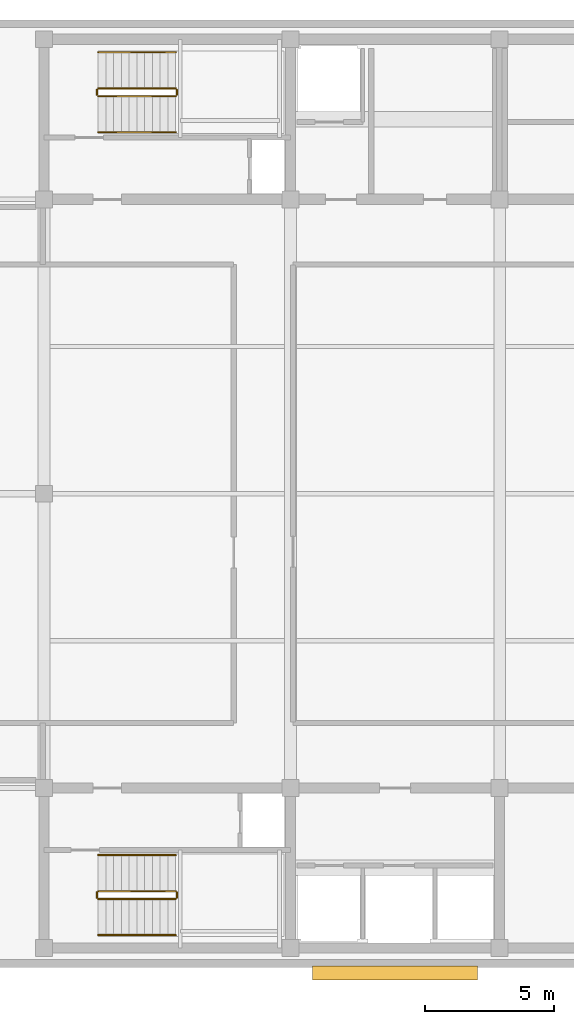
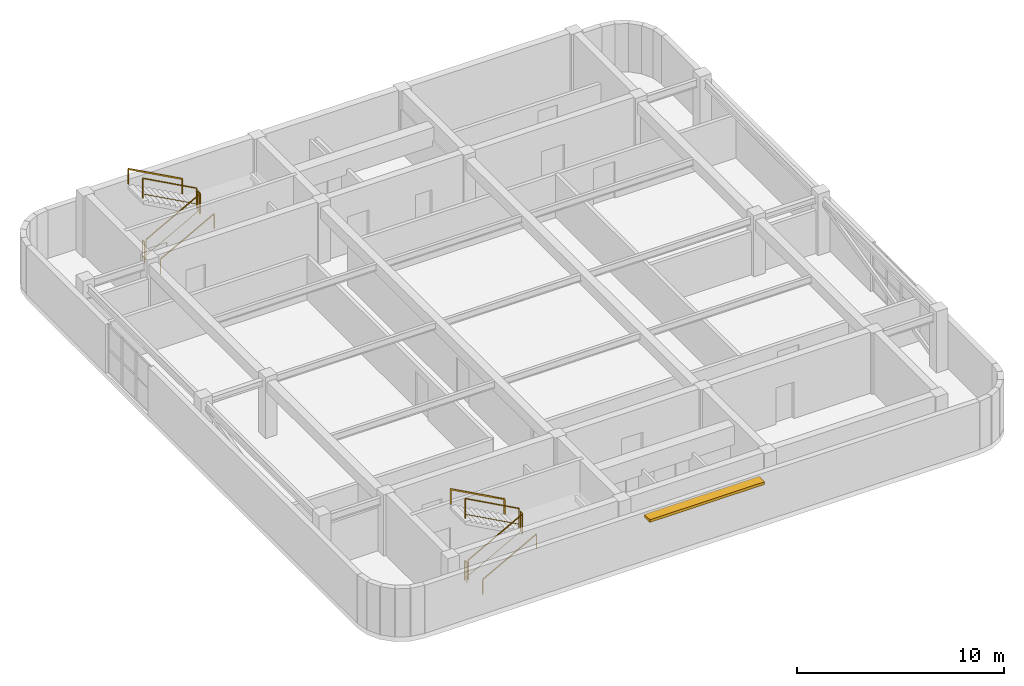
# One storey, part 9 of 9: 12 railings, 1 shading device.
"""IFC4 building model written with IfcOpenShell, lengths in metres."""

import ifcopenshell
import ifcopenshell.guid

model = None  # the IFC model being written
_history = None  # IfcOwnerHistory: only IFC2X3 demands one
_inside = {}  # id of a spatial element -> (the spatial element, [elements in it])
_under = {}  # id of a project, library or spatial element -> (it, [spatial elements below it])
_declared = {}  # id of a project -> (the project, [libraries it declares])
_typed = {}  # id of a type object -> (the type object, [elements of that type])
_made_of = {}  # id of a material, layer set ... -> (it, [elements and type objects made of it])


def new_model(schema):
    """Start an empty IFC model of exactly this schema.

    Asked for "IFC4X3", IfcOpenShell would pick the latest addendum, in which some entities
    have other attributes; the version numbers below select the first issue.
    IFC2X3 requires an IfcOwnerHistory on every rooted entity: one is made here for all.
    """
    global model, _history
    if schema == "IFC4X3":
        model = ifcopenshell.file(schema_version=(4, 3, 0, 0))
    else:
        model = ifcopenshell.file(schema=schema)
    _inside.clear()
    _under.clear()
    _declared.clear()
    _typed.clear()
    _made_of.clear()
    _history = None
    if model.schema == "IFC2X3":
        org = make("IfcOrganization", Name="unknown")
        user = make(
            "IfcPersonAndOrganization",
            ThePerson=make("IfcPerson", FamilyName="unknown"),
            TheOrganization=org,
        )
        app = make(
            "IfcApplication",
            ApplicationDeveloper=org,
            Version="unknown",
            ApplicationFullName="unknown",
            ApplicationIdentifier="unknown",
        )
        _history = make(
            "IfcOwnerHistory",
            OwningUser=user,
            OwningApplication=app,
            ChangeAction="ADDED",
            CreationDate=0,
        )
    return model


def make(cls, **values):
    """One entity of the class cls with the attributes given. An attribute that is None is left unset."""
    return model.create_entity(
        cls, **{name: value for name, value in values.items() if value is not None}
    )


def rooted(cls, **values):
    """An entity with a GlobalId (a new one), such as an element, a storey or a relation."""
    return make(cls, GlobalId=ifcopenshell.guid.new(), OwnerHistory=_history, **values)


def si_unit(unit_type, name, prefix=None):
    """IfcSIUnit, for example si_unit("LENGTHUNIT", "METRE", prefix="MILLI")."""
    return make("IfcSIUnit", UnitType=unit_type, Prefix=prefix, Name=name)


def assignment(units):
    """IfcUnitAssignment: the units of a project."""
    return None if units is None else make("IfcUnitAssignment", Units=units)


def point(xyz):
    """IfcCartesianPoint."""
    return None if xyz is None else make("IfcCartesianPoint", Coordinates=xyz)


def direction(xyz):
    """IfcDirection."""
    return None if xyz is None else make("IfcDirection", DirectionRatios=xyz)


def frame(location, z_axis=None, x_axis=None):
    """IfcAxis2Placement3D, a coordinate frame: its origin and axes. An axis left out is left unset."""
    return make(
        "IfcAxis2Placement3D",
        Location=point(location),
        Axis=direction(z_axis),
        RefDirection=direction(x_axis),
    )


def frame_2d(location, x_axis=None):
    """IfcAxis2Placement2D, a coordinate frame in the plane: its origin and x axis."""
    return make(
        "IfcAxis2Placement2D", Location=point(location), RefDirection=direction(x_axis)
    )


def origin():
    """The frame at (0, 0, 0) with its axes left unset."""
    return frame((0.0, 0.0, 0.0))


def origin_2d():
    """The frame at (0, 0) in the plane with its x axis left unset."""
    return frame_2d((0.0, 0.0))


def place(relative_to, where):
    """IfcLocalPlacement: puts the frame where relative to a parent placement (None: the world)."""
    return make(
        "IfcLocalPlacement", PlacementRelTo=relative_to, RelativePlacement=where
    )


def context(
    kind, dimensions, precision=None, world=None, true_north=None, identifier=None
):
    """IfcGeometricRepresentationContext, for example the 3D "Model" context."""
    return make(
        "IfcGeometricRepresentationContext",
        ContextIdentifier=identifier,
        ContextType=kind,
        CoordinateSpaceDimension=dimensions,
        Precision=precision,
        WorldCoordinateSystem=world,
        TrueNorth=true_north,
    )


def subcontext(parent, identifier, kind, view, scale=None):
    """IfcGeometricRepresentationSubContext, for example "Body" below "Model"."""
    return make(
        "IfcGeometricRepresentationSubContext",
        ContextIdentifier=identifier,
        ContextType=kind,
        ParentContext=parent,
        TargetScale=scale,
        TargetView=view,
    )


def project(units=None, contexts=None):
    """IfcProject with its units and contexts."""
    return rooted(
        "IfcProject",
        Name="project",
        RepresentationContexts=contexts,
        UnitsInContext=assignment(units),
    )


def spatial(cls, under=None, at=None, **own):
    """A site, building, storey or space (cls), placed at a placement, below another one or the project."""
    s = rooted(cls, ObjectPlacement=at, **own)
    if under is not None:
        _under.setdefault(under.id(), (under, []))[1].append(s)
    return s


def profile(cls, at=None, kind="AREA", **sizes):
    """A parametric profile (cls). Its sizes go by their IFC names, for example OverallWidth=200.0."""
    return make(cls, ProfileType=kind, Position=at, **sizes)


def rectangle(**sizes):
    """IfcRectangleProfileDef."""
    return profile("IfcRectangleProfileDef", **sizes)


def extrude(swept, where, along, depth):
    """IfcExtrudedAreaSolid: the profile swept, set in the frame where, extruded along a direction by depth."""
    return make(
        "IfcExtrudedAreaSolid",
        SweptArea=swept,
        Position=where,
        ExtrudedDirection=direction(along),
        Depth=depth,
    )


def shape(context_of_items, identifier, shape_type, items):
    """IfcShapeRepresentation: the items that make up one representation, for example the "Body"."""
    return make(
        "IfcShapeRepresentation",
        ContextOfItems=context_of_items,
        RepresentationIdentifier=identifier,
        RepresentationType=shape_type,
        Items=items,
    )


def material(Name=None, Category=None):
    """IfcMaterial."""
    return make("IfcMaterial", Name=Name, Category=Category)


def layer(
    of_material, thickness, ventilated=None, Name=None, Category=None, Priority=None
):
    """IfcMaterialLayer: one layer of a wall or slab, of a material (None: an air gap)."""
    return make(
        "IfcMaterialLayer",
        Material=of_material,
        LayerThickness=thickness,
        IsVentilated=ventilated,
        Name=Name,
        Category=Category,
        Priority=Priority,
    )


def layer_set(layers, Name=None):
    """IfcMaterialLayerSet."""
    return make("IfcMaterialLayerSet", MaterialLayers=layers, LayerSetName=Name)


def made_of(thing, what):
    """Note that an element or type object is made of a material, layer set ...; save() writes the relation."""
    if what is not None:
        _made_of.setdefault(what.id(), (what, []))[1].append(thing)
    return thing


def type_object(cls, material=None, **own):
    """A type object (cls), such as IfcWallType, which elements share."""
    return made_of(rooted(cls, **own), material)


def element(
    cls,
    number,
    at=None,
    inside=None,
    cuts=None,
    type_object=None,
    material=None,
    context=None,
    identifier="Body",
    shape_type=None,
    held_by="IfcProductDefinitionShape",
    body=None,
    shapes=None,
    **own,
):
    """One element of the class cls, such as IfcWall. Its Tag is "e" and its number.

    at: its placement. inside: the storey or other place that contains it. cuts: it is an
    opening in that element (IfcRelVoidsElement). A single representation is given by context,
    identifier, shape_type and body (its items); several are given by shapes. held_by: the class
    of the entity that holds the representations. save() writes the other relations.
    """
    e = rooted(cls, Tag="e%d" % number, ObjectPlacement=at, **own)
    if body is not None:
        shapes = [shape(context, identifier, shape_type, body)]
    if shapes is not None:
        e.Representation = make(held_by, Representations=shapes)
    if inside is not None:
        _inside.setdefault(inside.id(), (inside, []))[1].append(e)
    if cuts is not None:
        rooted(
            "IfcRelVoidsElement", RelatingBuildingElement=cuts, RelatedOpeningElement=e
        )
    if type_object is not None:
        _typed.setdefault(type_object.id(), (type_object, []))[1].append(e)
    return made_of(e, material)


def aggregate(whole, parts):
    """IfcRelAggregates: a whole, such as a stair, and the parts it consists of."""
    return rooted("IfcRelAggregates", RelatingObject=whole, RelatedObjects=parts)


def save(model, path):
    """Write the relations noted so far, then the file.

    IfcRelAggregates (storeys below a building ...), IfcRelContainedInSpatialStructure (elements
    in a storey), IfcRelDefinesByType, IfcRelAssociatesMaterial and IfcRelDeclares: one each for
    every whole, place, type object, material and project.
    """
    for whole, parts in _under.values():
        aggregate(whole, parts)
    for where, things in _inside.values():
        rooted(
            "IfcRelContainedInSpatialStructure",
            RelatedElements=things,
            RelatingStructure=where,
        )
    for kind, things in _typed.values():
        rooted("IfcRelDefinesByType", RelatedObjects=things, RelatingType=kind)
    for what, things in _made_of.values():
        rooted("IfcRelAssociatesMaterial", RelatedObjects=things, RelatingMaterial=what)
    for by, libraries in _declared.values():
        rooted("IfcRelDeclares", RelatingContext=by, RelatedDefinitions=libraries)
    model.write(path)


model = new_model("IFC4")

# Units and contexts
model_context = context("Model", 3, precision=1e-05, world=origin(), true_north=direction((0.0, 1.0)))
body_context = subcontext(model_context, "Body", "Model", "MODEL_VIEW")
ifc_project = project(units=[si_unit("LENGTHUNIT", "METRE"), si_unit("AREAUNIT", "SQUARE_METRE"), si_unit("VOLUMEUNIT", "CUBIC_METRE"), si_unit("PLANEANGLEUNIT", "RADIAN"), si_unit("MASSUNIT", "GRAM", prefix="KILO")], contexts=[model_context])

# Site, building, storey
site_placement = place(None, origin())
site = spatial("IfcSite", under=ifc_project, at=site_placement, CompositionType="ELEMENT")
building_placement = place(site_placement, origin())
building = spatial("IfcBuilding", under=site, at=building_placement, Name="Svetorya Sky Lyceum", CompositionType="ELEMENT")
storey_placement = place(building_placement, frame((0.0, 0.0, 305.60009765625)))
storey = spatial("IfcBuildingStorey", under=building, at=storey_placement, Name="C02", CompositionType="ELEMENT", Elevation=305.60009765625)

# Railings
ifc_material_1 = material(Name="Painted galvanized stair well guard")
railing_type_1 = type_object("IfcRailingType", Name="RL-STR-GUARD-1200", PredefinedType="GUARDRAIL", material=ifc_material_1)
railing_1_placement = place(storey_placement, frame((27.699951171875, 12.5, 0.16357421875)))
element("IfcRailing", 1, at=railing_1_placement, inside=storey, type_object=railing_type_1, Name="C02 ST-S stair guard 1", PredefinedType="GUARDRAIL", context=body_context, shape_type="SweptSolid", body=[
    extrude(rectangle(XDim=0.048095703125, YDim=0.048095703125, at=origin_2d()), frame((0.0, 0.0, 1.17578125), z_axis=(0.877911954615, 0.0, 0.47882209634), x_axis=(0.0, 1.0, 0.0)), (0.0, 0.0, 1.0), 3.417236328125),
    extrude(rectangle(XDim=0.02392578125, YDim=0.02392578125, at=origin_2d()), frame((0.0, 0.0, 0.25), z_axis=(0.877911954615, 0.0, 0.47882209634), x_axis=(0.0, 1.0, 0.0)), (0.0, 0.0, 1.0), 3.417236328125),
    extrude(rectangle(XDim=0.0419921875, YDim=0.0419921875, at=origin_2d()), origin(), (0.0, 0.0, 1.0), 1.15185546875),
    extrude(rectangle(XDim=0.0419921875, YDim=0.0419921875, at=origin_2d()), frame((3.0, 0.0, 1.63623046875)), (0.0, 0.0, 1.0), 1.15185546875),
])
railing_2_placement = place(storey_placement, frame((30.75, 12.550048828125, 1.7998046875)))
element("IfcRailing", 2, at=railing_2_placement, inside=storey, type_object=railing_type_1, Name="C02 ST-S stair guard 2", PredefinedType="GUARDRAIL", context=body_context, shape_type="SweptSolid", body=[
    extrude(rectangle(XDim=0.048095703125, YDim=0.048095703125, at=origin_2d()), frame((0.0, 0.0, 1.17578125), z_axis=(0.0, 1.0, 0.0), x_axis=(-1.0, 0.0, 0.0)), (0.0, 0.0, 1.0), 0.199951171875),
    extrude(rectangle(XDim=0.02392578125, YDim=0.02392578125, at=origin_2d()), frame((0.0, 0.0, 0.25), z_axis=(0.0, 1.0, 0.0), x_axis=(-1.0, 0.0, 0.0)), (0.0, 0.0, 1.0), 0.199951171875),
    extrude(rectangle(XDim=0.0419921875, YDim=0.0419921875, at=origin_2d()), origin(), (0.0, 0.0, 1.0), 1.15185546875),
    extrude(rectangle(XDim=0.0419921875, YDim=0.0419921875, at=origin_2d()), frame((0.0, 0.199951171875, 0.0)), (0.0, 0.0, 1.0), 1.15185546875),
])
railing_3_placement = place(storey_placement, frame((30.699951171875, 12.800048828125, 1.963623046875)))
element("IfcRailing", 3, at=railing_3_placement, inside=storey, type_object=railing_type_1, Name="C02 ST-S stair guard 3", PredefinedType="GUARDRAIL", context=body_context, shape_type="SweptSolid", body=[
    extrude(rectangle(XDim=0.048095703125, YDim=0.048095703125, at=origin_2d()), frame((0.0, 0.0, 1.17578125), z_axis=(-0.877911954615, 0.0, 0.47882209634), x_axis=(0.0, -1.0, 0.0)), (0.0, 0.0, 1.0), 3.417236328125),
    extrude(rectangle(XDim=0.02392578125, YDim=0.02392578125, at=origin_2d()), frame((0.0, 0.0, 0.25), z_axis=(-0.877911954615, 0.0, 0.47882209634), x_axis=(0.0, -1.0, 0.0)), (0.0, 0.0, 1.0), 3.417236328125),
    extrude(rectangle(XDim=0.0419921875, YDim=0.0419921875, at=origin_2d()), origin(), (0.0, 0.0, 1.0), 1.15185546875),
    extrude(rectangle(XDim=0.0419921875, YDim=0.0419921875, at=origin_2d()), frame((-3.0, 0.0, 1.63623046875)), (0.0, 0.0, 1.0), 1.15185546875),
])
railing_4_placement = place(storey_placement, frame((27.64990234375, 12.550048828125, 0.0)))
element("IfcRailing", 4, at=railing_4_placement, inside=storey, type_object=railing_type_1, Name="C02 ST-S stair guard 4", PredefinedType="GUARDRAIL", context=body_context, shape_type="SweptSolid", body=[
    extrude(rectangle(XDim=0.048095703125, YDim=0.048095703125, at=origin_2d()), frame((0.0, 0.0, 1.17578125), z_axis=(0.0, 1.0, 0.0), x_axis=(-1.0, 0.0, 0.0)), (0.0, 0.0, 1.0), 0.199951171875),
    extrude(rectangle(XDim=0.02392578125, YDim=0.02392578125, at=origin_2d()), frame((0.0, 0.0, 0.25), z_axis=(0.0, 1.0, 0.0), x_axis=(-1.0, 0.0, 0.0)), (0.0, 0.0, 1.0), 0.199951171875),
    extrude(rectangle(XDim=0.0419921875, YDim=0.0419921875, at=origin_2d()), origin(), (0.0, 0.0, 1.0), 1.15185546875),
    extrude(rectangle(XDim=0.0419921875, YDim=0.0419921875, at=origin_2d()), frame((0.0, 0.199951171875, 0.0)), (0.0, 0.0, 1.0), 1.15185546875),
])
railing_5_placement = place(storey_placement, frame((27.699951171875, 43.60009765625, 0.16357421875)))
element("IfcRailing", 5, at=railing_5_placement, inside=storey, type_object=railing_type_1, Name="C02 ST-N stair guard 1", PredefinedType="GUARDRAIL", context=body_context, shape_type="SweptSolid", body=[
    extrude(rectangle(XDim=0.048095703125, YDim=0.048095703125, at=origin_2d()), frame((0.0, 0.0, 1.17578125), z_axis=(0.877911954615, 0.0, 0.47882209634), x_axis=(0.0, 1.0, 0.0)), (0.0, 0.0, 1.0), 3.417236328125),
    extrude(rectangle(XDim=0.02392578125, YDim=0.02392578125, at=origin_2d()), frame((0.0, 0.0, 0.25), z_axis=(0.877911954615, 0.0, 0.47882209634), x_axis=(0.0, 1.0, 0.0)), (0.0, 0.0, 1.0), 3.417236328125),
    extrude(rectangle(XDim=0.0419921875, YDim=0.0419921875, at=origin_2d()), origin(), (0.0, 0.0, 1.0), 1.15185546875),
    extrude(rectangle(XDim=0.0419921875, YDim=0.0419921875, at=origin_2d()), frame((3.0, 0.0, 1.63623046875)), (0.0, 0.0, 1.0), 1.15185546875),
])
railing_6_placement = place(storey_placement, frame((30.75, 43.64990234375, 1.7998046875)))
element("IfcRailing", 6, at=railing_6_placement, inside=storey, type_object=railing_type_1, Name="C02 ST-N stair guard 2", PredefinedType="GUARDRAIL", context=body_context, shape_type="SweptSolid", body=[
    extrude(rectangle(XDim=0.048095703125, YDim=0.048095703125, at=origin_2d()), frame((0.0, 0.0, 1.17578125), z_axis=(0.0, 1.0, 0.0), x_axis=(-1.0, 0.0, 0.0)), (0.0, 0.0, 1.0), 0.2001953125),
    extrude(rectangle(XDim=0.02392578125, YDim=0.02392578125, at=origin_2d()), frame((0.0, 0.0, 0.25), z_axis=(0.0, 1.0, 0.0), x_axis=(-1.0, 0.0, 0.0)), (0.0, 0.0, 1.0), 0.2001953125),
    extrude(rectangle(XDim=0.0419921875, YDim=0.0419921875, at=origin_2d()), origin(), (0.0, 0.0, 1.0), 1.15185546875),
    extrude(rectangle(XDim=0.0419921875, YDim=0.0419921875, at=origin_2d()), frame((0.0, 0.2001953125, 0.0)), (0.0, 0.0, 1.0), 1.15185546875),
])
railing_7_placement = place(storey_placement, frame((30.699951171875, 43.89990234375, 1.963623046875)))
element("IfcRailing", 7, at=railing_7_placement, inside=storey, type_object=railing_type_1, Name="C02 ST-N stair guard 3", PredefinedType="GUARDRAIL", context=body_context, shape_type="SweptSolid", body=[
    extrude(rectangle(XDim=0.048095703125, YDim=0.048095703125, at=origin_2d()), frame((0.0, 0.0, 1.17578125), z_axis=(-0.877911954615, 0.0, 0.47882209634), x_axis=(0.0, -1.0, 0.0)), (0.0, 0.0, 1.0), 3.417236328125),
    extrude(rectangle(XDim=0.02392578125, YDim=0.02392578125, at=origin_2d()), frame((0.0, 0.0, 0.25), z_axis=(-0.877911954615, 0.0, 0.47882209634), x_axis=(0.0, -1.0, 0.0)), (0.0, 0.0, 1.0), 3.417236328125),
    extrude(rectangle(XDim=0.0419921875, YDim=0.0419921875, at=origin_2d()), origin(), (0.0, 0.0, 1.0), 1.15185546875),
    extrude(rectangle(XDim=0.0419921875, YDim=0.0419921875, at=origin_2d()), frame((-3.0, 0.0, 1.63623046875)), (0.0, 0.0, 1.0), 1.15185546875),
])
railing_8_placement = place(storey_placement, frame((27.64990234375, 43.64990234375, 0.0)))
element("IfcRailing", 8, at=railing_8_placement, inside=storey, type_object=railing_type_1, Name="C02 ST-N stair guard 4", PredefinedType="GUARDRAIL", context=body_context, shape_type="SweptSolid", body=[
    extrude(rectangle(XDim=0.048095703125, YDim=0.048095703125, at=origin_2d()), frame((0.0, 0.0, 1.17578125), z_axis=(0.0, 1.0, 0.0), x_axis=(-1.0, 0.0, 0.0)), (0.0, 0.0, 1.0), 0.2001953125),
    extrude(rectangle(XDim=0.02392578125, YDim=0.02392578125, at=origin_2d()), frame((0.0, 0.0, 0.25), z_axis=(0.0, 1.0, 0.0), x_axis=(-1.0, 0.0, 0.0)), (0.0, 0.0, 1.0), 0.2001953125),
    extrude(rectangle(XDim=0.0419921875, YDim=0.0419921875, at=origin_2d()), origin(), (0.0, 0.0, 1.0), 1.15185546875),
    extrude(rectangle(XDim=0.0419921875, YDim=0.0419921875, at=origin_2d()), frame((0.0, 0.2001953125, 0.0)), (0.0, 0.0, 1.0), 1.15185546875),
])
ifc_material_2 = material(Name="Brushed stainless AISI 304 stair handrail")
railing_type_2 = type_object("IfcRailingType", Name="RL-STR-HAND-920", PredefinedType="HANDRAIL", material=ifc_material_2)
railing_9_placement = place(storey_placement, frame((27.699951171875, 11.10009765625, 0.16357421875)))
element("IfcRailing", 9, at=railing_9_placement, inside=storey, type_object=railing_type_2, Name="C02 ST-S stair handrail 1", PredefinedType="HANDRAIL", context=body_context, shape_type="SweptSolid", body=[
    extrude(rectangle(XDim=0.048095703125, YDim=0.048095703125, at=origin_2d()), frame((0.0, 0.0, 0.8759765625), z_axis=(0.877911954615, 0.0, 0.47882209634), x_axis=(0.0, 1.0, 0.0)), (0.0, 0.0, 1.0), 3.417236328125),
    extrude(rectangle(XDim=0.0419921875, YDim=0.0419921875, at=origin_2d()), origin(), (0.0, 0.0, 1.0), 0.851806640625),
    extrude(rectangle(XDim=0.0419921875, YDim=0.0419921875, at=origin_2d()), frame((3.0, 0.0, 1.63623046875)), (0.0, 0.0, 1.0), 0.851806640625),
])
railing_10_placement = place(storey_placement, frame((30.699951171875, 14.199951171875, 1.963623046875)))
element("IfcRailing", 10, at=railing_10_placement, inside=storey, type_object=railing_type_2, Name="C02 ST-S stair handrail 2", PredefinedType="HANDRAIL", context=body_context, shape_type="SweptSolid", body=[
    extrude(rectangle(XDim=0.048095703125, YDim=0.048095703125, at=origin_2d()), frame((0.0, 0.0, 0.8759765625), z_axis=(-0.877911954615, 0.0, 0.47882209634), x_axis=(0.0, -1.0, 0.0)), (0.0, 0.0, 1.0), 3.417236328125),
    extrude(rectangle(XDim=0.0419921875, YDim=0.0419921875, at=origin_2d()), origin(), (0.0, 0.0, 1.0), 0.851806640625),
    extrude(rectangle(XDim=0.0419921875, YDim=0.0419921875, at=origin_2d()), frame((-3.0, 0.0, 1.63623046875)), (0.0, 0.0, 1.0), 0.851806640625),
])
railing_11_placement = place(storey_placement, frame((27.699951171875, 42.199951171875, 0.16357421875)))
element("IfcRailing", 11, at=railing_11_placement, inside=storey, type_object=railing_type_2, Name="C02 ST-N stair handrail 1", PredefinedType="HANDRAIL", context=body_context, shape_type="SweptSolid", body=[
    extrude(rectangle(XDim=0.048095703125, YDim=0.048095703125, at=origin_2d()), frame((0.0, 0.0, 0.8759765625), z_axis=(0.877911954615, 0.0, 0.47882209634), x_axis=(0.0, 1.0, 0.0)), (0.0, 0.0, 1.0), 3.417236328125),
    extrude(rectangle(XDim=0.0419921875, YDim=0.0419921875, at=origin_2d()), origin(), (0.0, 0.0, 1.0), 0.851806640625),
    extrude(rectangle(XDim=0.0419921875, YDim=0.0419921875, at=origin_2d()), frame((3.0, 0.0, 1.63623046875)), (0.0, 0.0, 1.0), 0.851806640625),
])
railing_12_placement = place(storey_placement, frame((30.699951171875, 45.300048828125, 1.963623046875)))
element("IfcRailing", 12, at=railing_12_placement, inside=storey, type_object=railing_type_2, Name="C02 ST-N stair handrail 2", PredefinedType="HANDRAIL", context=body_context, shape_type="SweptSolid", body=[
    extrude(rectangle(XDim=0.048095703125, YDim=0.048095703125, at=origin_2d()), frame((0.0, 0.0, 0.8759765625), z_axis=(-0.877911954615, 0.0, 0.47882209634), x_axis=(0.0, -1.0, 0.0)), (0.0, 0.0, 1.0), 3.417236328125),
    extrude(rectangle(XDim=0.0419921875, YDim=0.0419921875, at=origin_2d()), origin(), (0.0, 0.0, 1.0), 0.851806640625),
    extrude(rectangle(XDim=0.0419921875, YDim=0.0419921875, at=origin_2d()), frame((-3.0, 0.0, 1.63623046875)), (0.0, 0.0, 1.0), 0.851806640625),
])

# Shading device
ifc_material_3 = material(Name="Champagne-anodized extruded aluminium sunshade", Category="aluminium")
ifc_layer = layer(ifc_material_3, 0.159912109375)
ifc_layer_set = layer_set([ifc_layer], Name="Champagne-anodized extruded aluminium sunshade")
shading_device_type = type_object("IfcShadingDeviceType", Name="SHD-LVR-540", PredefinedType="AWNING", material=ifc_layer_set)
shading_device_placement = place(storey_placement, frame((39.199951171875, 9.6298828125, 2.5400390625), z_axis=(0.0, 0.0, 1.0), x_axis=(1.0, 0.0, 0.0)))
element("IfcShadingDevice", 13, at=shading_device_placement, inside=storey, type_object=shading_device_type, Name="C02 Solar Brise-Soleil SHD-1.6M", PredefinedType="AWNING", context=body_context, shape_type="SweptSolid", body=[
    extrude(rectangle(XDim=6.39990234375, YDim=0.5400390625, at=origin_2d()), origin(), (0.0, 0.0, 1.0), 0.159912109375),
])

save(model, "model.ifc")
